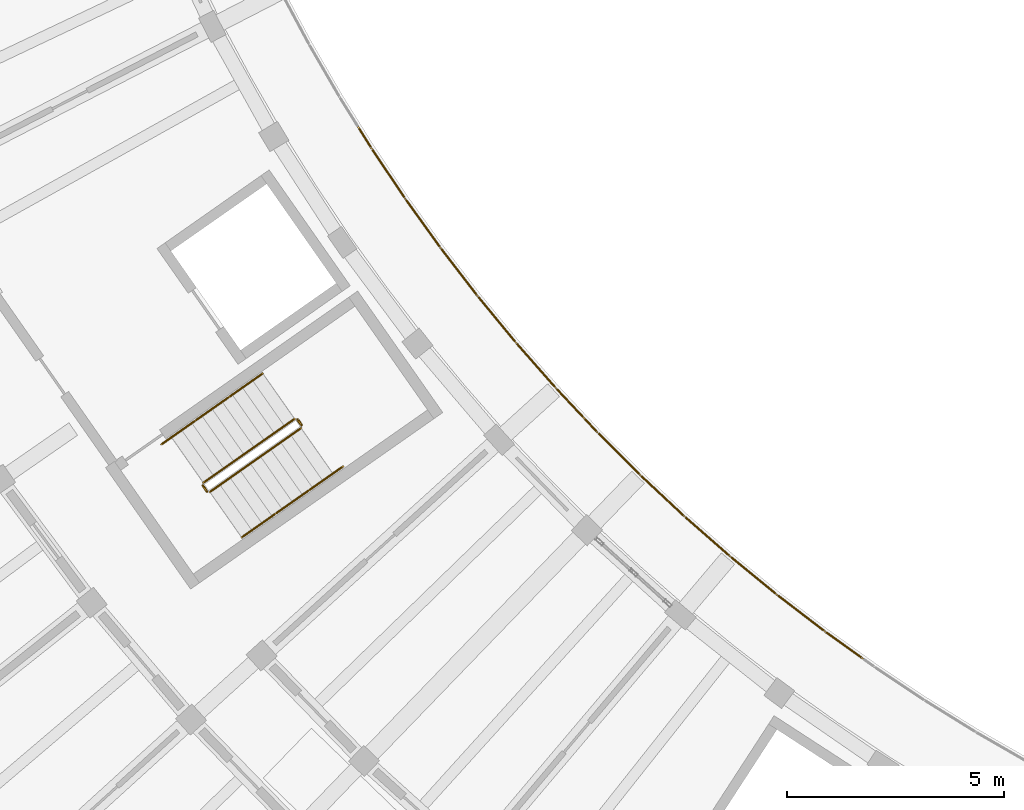
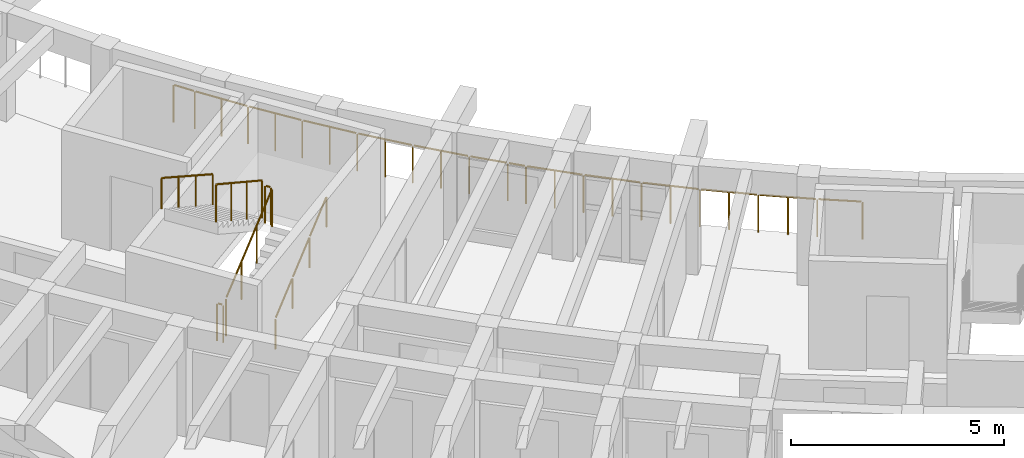
# One storey, part 50 of 62: 12 railings.
"""IFC4 building model written with IfcOpenShell, lengths in metres."""

from ifc_helpers import new_model, si_unit, direction, frame, origin, origin_2d, place, context, subcontext, project, spatial, circle, extrude, material, type_object, element, save


model = new_model("IFC4")

# Units and contexts
model_context = context("Model", 3, precision=1e-05, world=origin(), true_north=direction((0.0, 1.0)))
body_context = subcontext(model_context, "Body", "Model", "MODEL_VIEW")
ifc_project = project(units=[si_unit("LENGTHUNIT", "METRE"), si_unit("AREAUNIT", "SQUARE_METRE"), si_unit("VOLUMEUNIT", "CUBIC_METRE"), si_unit("PLANEANGLEUNIT", "RADIAN"), si_unit("MASSUNIT", "GRAM", prefix="KILO")], contexts=[model_context])

# Site, building, storey
site_placement = place(None, origin())
site = spatial("IfcSite", under=ifc_project, at=site_placement, CompositionType="ELEMENT")
building_placement = place(site_placement, origin())
building = spatial("IfcBuilding", under=site, at=building_placement, Name="Tanwirah Colonnade Gardens", CompositionType="ELEMENT")
storey_placement = place(building_placement, frame((0.0, 0.0, 32.360107421875)))
storey = spatial("IfcBuildingStorey", under=building, at=storey_placement, Name="L09", CompositionType="ELEMENT", Elevation=32.360107421875)

# Railings
ifc_material_1 = material(Name="Precast concrete C40/50", Category="concrete")
railing_type_1 = type_object("IfcRailingType", Name="BAL-EXT110", PredefinedType="BALUSTRADE", material=ifc_material_1)
railing_1_placement = place(storey_placement, frame((28.853271484375, 41.816650390625, 0.0)))
element("IfcRailing", 1, at=railing_1_placement, inside=storey, type_object=railing_type_1, Name="Block C L09 Balcony Ribbon Balustrade 2", PredefinedType="BALUSTRADE", context=body_context, shape_type="SweptSolid", body=[
    extrude(circle(Radius=0.02392578125, at=origin_2d()), frame((0.0166015625, -0.026611328125, 1.076171875), z_axis=(0.529188545896, -0.848504262154, 0.0), x_axis=(0.848504262154, 0.529188545896, 0.0)), (0.0, 0.0, 1.0), 0.50634765625),
    extrude(circle(Radius=0.02392578125, at=origin_2d()), frame((0.319580078125, -0.5107421875, 1.076171875), z_axis=(0.55655786635, -0.830808847692, 0.0), x_axis=(0.830808847692, 0.55655786635, 0.0)), (0.0, 0.0, 1.0), 1.33154296875),
    extrude(circle(Radius=0.02392578125, at=origin_2d()), frame((1.097900390625, -1.670654296875, 1.076171875), z_axis=(0.58342309678, -0.812168387802, 0.0), x_axis=(0.812168387802, 0.58342309678, 0.0)), (0.0, 0.0, 1.0), 1.331298828125),
    extrude(circle(Radius=0.02392578125, at=origin_2d()), frame((1.913330078125, -2.804443359375, 1.076171875), z_axis=(0.609651512095, -0.792669561546, 0.0), x_axis=(0.792669561546, 0.609651512095, 0.0)), (0.0, 0.0, 1.0), 1.33154296875),
    extrude(circle(Radius=0.02392578125, at=origin_2d()), frame((2.765625, -3.91064453125, 1.076171875), z_axis=(0.635209885743, -0.77233956331, 0.0), x_axis=(0.77233956331, 0.635209885743, 0.0)), (0.0, 0.0, 1.0), 1.33154296875),
    extrude(circle(Radius=0.02392578125, at=origin_2d()), frame((3.65380859375, -4.98876953125, 1.076171875), z_axis=(0.660288280901, -0.751012240982, 0.0), x_axis=(0.751012240982, 0.660288280901, 0.0)), (0.0, 0.0, 1.0), 1.33154296875),
    extrude(circle(Radius=0.02392578125, at=origin_2d()), frame((4.57666015625, -6.036865234375, 1.076171875), z_axis=(0.684284631399, -0.729215018517, 0.0), x_axis=(0.729215018517, 0.684284631399, 0.0)), (0.0, 0.0, 1.0), 0.883056640625),
    extrude(circle(Radius=0.02099609375, at=origin_2d()), origin(), (0.0, 0.0, 1.0), 1.049072265625),
    extrude(circle(Radius=0.02099609375, at=origin_2d()), frame((0.301025390625, -0.482666015625, 0.0)), (0.0, 0.0, 1.0), 1.049072265625),
    extrude(circle(Radius=0.02099609375, at=origin_2d()), frame((0.690185546875, -1.06396484375, 0.0)), (0.0, 0.0, 1.0), 1.049072265625),
    extrude(circle(Radius=0.02099609375, at=origin_2d()), frame((1.078125, -1.64306640625, 0.0)), (0.0, 0.0, 1.0), 1.049072265625),
    extrude(circle(Radius=0.02099609375, at=origin_2d()), frame((1.486328125, -2.21142578125, 0.0)), (0.0, 0.0, 1.0), 1.049072265625),
    extrude(circle(Radius=0.02099609375, at=origin_2d()), frame((1.892822265625, -2.77734375, 0.0)), (0.0, 0.0, 1.0), 1.049072265625),
    extrude(circle(Radius=0.02099609375, at=origin_2d()), frame((2.3193359375, -3.33203125, 0.0)), (0.0, 0.0, 1.0), 1.049072265625),
    extrude(circle(Radius=0.02099609375, at=origin_2d()), frame((2.744140625, -3.884521484375, 0.0)), (0.0, 0.0, 1.0), 1.049072265625),
    extrude(circle(Radius=0.02099609375, at=origin_2d()), frame((3.1884765625, -4.4248046875, 0.0)), (0.0, 0.0, 1.0), 1.049072265625),
    extrude(circle(Radius=0.02099609375, at=origin_2d()), frame((3.63134765625, -4.963134765625, 0.0)), (0.0, 0.0, 1.0), 1.049072265625),
    extrude(circle(Radius=0.02099609375, at=origin_2d()), frame((4.09326171875, -5.48876953125, 0.0)), (0.0, 0.0, 1.0), 1.049072265625),
    extrude(circle(Radius=0.02099609375, at=origin_2d()), frame((4.553466796875, -6.01220703125, 0.0)), (0.0, 0.0, 1.0), 1.049072265625),
    extrude(circle(Radius=0.02099609375, at=origin_2d()), frame((5.2021484375, -6.70361328125, 0.0)), (0.0, 0.0, 1.0), 1.049072265625),
])
railing_2_placement = place(storey_placement, frame((34.055419921875, 35.113037109375, 0.0)))
element("IfcRailing", 2, at=railing_2_placement, inside=storey, type_object=railing_type_1, Name="Block C L09 Balcony Ribbon Balustrade 3", PredefinedType="BALUSTRADE", context=body_context, shape_type="SweptSolid", body=[
    extrude(circle(Radius=0.02392578125, at=origin_2d()), frame((0.021484375, -0.022705078125, 1.076171875), z_axis=(0.684719269291, -0.728806916996, 0.0), x_axis=(0.728806916996, 0.684719269291, 0.0)), (0.0, 0.0, 1.0), 0.385986328125),
    extrude(circle(Radius=0.02392578125, at=origin_2d()), frame((0.3310546875, -0.350830078125, 1.076171875), z_axis=(0.707894448134, -0.706318235855, 0.0), x_axis=(0.706318235855, 0.707894448134, 0.0)), (0.0, 0.0, 1.0), 1.33154296875),
    extrude(circle(Radius=0.02392578125, at=origin_2d()), frame((1.320556640625, -1.336669921875, 1.076171875), z_axis=(0.730612417562, -0.682792424756, 0.0), x_axis=(0.682792424756, 0.730612417562, 0.0)), (0.0, 0.0, 1.0), 1.331298828125),
    extrude(circle(Radius=0.02392578125, at=origin_2d()), frame((2.34130859375, -2.28955078125, 1.076171875), z_axis=(0.752565845379, -0.658517006894, 0.0), x_axis=(0.658517006894, 0.752565845379, 0.0)), (0.0, 0.0, 1.0), 1.33154296875),
    extrude(circle(Radius=0.02392578125, at=origin_2d()), frame((3.39306640625, -3.20849609375, 1.076171875), z_axis=(0.773762182392, -0.633476191424, 0.0), x_axis=(0.633476191424, 0.773762182392, 0.0)), (0.0, 0.0, 1.0), 1.33154296875),
    extrude(circle(Radius=0.02392578125, at=origin_2d()), frame((4.474609375, -4.092529296875, 1.076171875), z_axis=(0.793969886309, -0.607957087001, 0.0), x_axis=(0.607957087001, 0.793969886309, 0.0)), (0.0, 0.0, 1.0), 1.331298828125),
    extrude(circle(Radius=0.02392578125, at=origin_2d()), frame((5.583984375, -4.9404296875, 1.076171875), z_axis=(0.813377253106, -0.581736576235, 0.0), x_axis=(0.581736576235, 0.813377253106, 0.0)), (0.0, 0.0, 1.0), 1.0029296875),
    extrude(circle(Radius=0.02099609375, at=origin_2d()), origin(), (0.0, 0.0, 1.0), 1.049072265625),
    extrude(circle(Radius=0.02099609375, at=origin_2d()), frame((0.30712890625, -0.326904296875, 0.0)), (0.0, 0.0, 1.0), 1.049072265625),
    extrude(circle(Radius=0.02099609375, at=origin_2d()), frame((0.80224609375, -0.8212890625, 0.0)), (0.0, 0.0, 1.0), 1.049072265625),
    extrude(circle(Radius=0.02099609375, at=origin_2d()), frame((1.295654296875, -1.3134765625, 0.0)), (0.0, 0.0, 1.0), 1.049072265625),
    extrude(circle(Radius=0.02099609375, at=origin_2d()), frame((1.806640625, -1.791259765625, 0.0)), (0.0, 0.0, 1.0), 1.049072265625),
    extrude(circle(Radius=0.02099609375, at=origin_2d()), frame((2.31591796875, -2.26708984375, 0.0)), (0.0, 0.0, 1.0), 1.049072265625),
    extrude(circle(Radius=0.02099609375, at=origin_2d()), frame((2.84228515625, -2.72802734375, 0.0)), (0.0, 0.0, 1.0), 1.049072265625),
    extrude(circle(Radius=0.02099609375, at=origin_2d()), frame((3.366943359375, -3.18701171875, 0.0)), (0.0, 0.0, 1.0), 1.049072265625),
    extrude(circle(Radius=0.02099609375, at=origin_2d()), frame((3.908203125, -3.63037109375, 0.0)), (0.0, 0.0, 1.0), 1.049072265625),
    extrude(circle(Radius=0.02099609375, at=origin_2d()), frame((4.447509765625, -4.07177734375, 0.0)), (0.0, 0.0, 1.0), 1.049072265625),
    extrude(circle(Radius=0.02099609375, at=origin_2d()), frame((5.0029296875, -4.4970703125, 0.0)), (0.0, 0.0, 1.0), 1.049072265625),
    extrude(circle(Radius=0.02099609375, at=origin_2d()), frame((5.556396484375, -4.9208984375, 0.0)), (0.0, 0.0, 1.0), 1.049072265625),
    extrude(circle(Radius=0.02099609375, at=origin_2d()), frame((6.42529296875, -5.542236328125, 0.0)), (0.0, 0.0, 1.0), 1.049072265625),
])
ifc_material_2 = material(Name="Powder-coated galvanized steel", Category="steel")
railing_type_2 = type_object("IfcRailingType", Name="GRD-ST110", PredefinedType="GUARDRAIL", material=ifc_material_2)
railing_3_placement = place(storey_placement, frame((25.426513671875, 33.40869140625, 0.16796875)))
element("IfcRailing", 3, at=railing_3_placement, inside=storey, type_object=railing_type_2, Name="L09 ST-C1 stair guard 1", PredefinedType="GUARDRAIL", context=body_context, shape_type="SweptSolid", body=[
    extrude(circle(Radius=0.02392578125, at=origin_2d()), frame((0.02197265625, 0.015380859375, 1.092041015625), z_axis=(0.705672637115, 0.494118441931, 0.507812066193), x_axis=(-0.573577325805, 0.819151421486, 0.0)), (0.0, 0.0, 1.0), 2.914794921875),
    extrude(circle(Radius=0.02099609375, at=origin_2d()), origin(), (0.0, 0.0, 1.0), 1.049072265625),
    extrude(circle(Radius=0.02099609375, at=origin_2d()), frame((0.700439453125, 0.490478515625, 0.50390625)), (0.0, 0.0, 1.0), 1.049072265625),
    extrude(circle(Radius=0.02099609375, at=origin_2d()), frame((1.400634765625, 0.980712890625, 1.008056640625)), (0.0, 0.0, 1.0), 1.049072265625),
    extrude(circle(Radius=0.02099609375, at=origin_2d()), frame((2.10107421875, 1.47119140625, 1.511962890625)), (0.0, 0.0, 1.0), 1.049072265625),
])
railing_4_placement = place(storey_placement, frame((27.539794921875, 34.94970703125, 1.679931640625)))
element("IfcRailing", 4, at=railing_4_placement, inside=storey, type_object=railing_type_2, Name="L09 ST-C1 stair guard 2", PredefinedType="GUARDRAIL", context=body_context, shape_type="SweptSolid", body=[
    extrude(circle(Radius=0.02392578125, at=origin_2d()), frame((-0.01806640625, 0.025634765625, 1.076171875), z_axis=(-0.57428210862, 0.81865747399, 0.0), x_axis=(-0.81865747399, -0.57428210862, 0.0)), (0.0, 0.0, 1.0), 0.097412109375),
    extrude(circle(Radius=0.02099609375, at=origin_2d()), origin(), (0.0, 0.0, 1.0), 1.049072265625),
    extrude(circle(Radius=0.02099609375, at=origin_2d()), frame((-0.091796875, 0.130859375, 0.0)), (0.0, 0.0, 1.0), 1.049072265625),
])
railing_5_placement = place(storey_placement, frame((27.37841796875, 35.093017578125, 1.847900390625)))
element("IfcRailing", 5, at=railing_5_placement, inside=storey, type_object=railing_type_2, Name="L09 ST-C1 stair guard 3", PredefinedType="GUARDRAIL", context=body_context, shape_type="SweptSolid", body=[
    extrude(circle(Radius=0.02392578125, at=origin_2d()), frame((-0.02197265625, -0.015380859375, 1.092041015625), z_axis=(-0.705672637115, -0.494118441931, 0.507812066193), x_axis=(0.573577325805, -0.819151421486, 0.0)), (0.0, 0.0, 1.0), 2.914794921875),
    extrude(circle(Radius=0.02099609375, at=origin_2d()), origin(), (0.0, 0.0, 1.0), 1.049072265625),
    extrude(circle(Radius=0.02099609375, at=origin_2d()), frame((-0.700439453125, -0.490478515625, 0.50390625)), (0.0, 0.0, 1.0), 1.049072265625),
    extrude(circle(Radius=0.02099609375, at=origin_2d()), frame((-1.400634765625, -0.980712890625, 1.008056640625)), (0.0, 0.0, 1.0), 1.049072265625),
    extrude(circle(Radius=0.02099609375, at=origin_2d()), frame((-2.10107421875, -1.47119140625, 1.511962890625)), (0.0, 0.0, 1.0), 1.049072265625),
])
railing_6_placement = place(storey_placement, frame((25.356689453125, 33.4208984375, 0.0)))
element("IfcRailing", 6, at=railing_6_placement, inside=storey, type_object=railing_type_2, Name="L09 ST-C1 stair guard 4", PredefinedType="GUARDRAIL", context=body_context, shape_type="SweptSolid", body=[
    extrude(circle(Radius=0.02392578125, at=origin_2d()), frame((-0.017822265625, 0.025634765625, 1.076171875), z_axis=(-0.57356471828, 0.819160249246, 0.0), x_axis=(-0.819160249246, -0.57356471828, 0.0)), (0.0, 0.0, 1.0), 0.097412109375),
    extrude(circle(Radius=0.02099609375, at=origin_2d()), origin(), (0.0, 0.0, 1.0), 1.049072265625),
    extrude(circle(Radius=0.02099609375, at=origin_2d()), frame((-0.091796875, 0.131103515625, 0.0)), (0.0, 0.0, 1.0), 1.049072265625),
])
ifc_material_3 = material(Name="Brushed bronze stainless steel", Category="steel")
railing_type_3 = type_object("IfcRailingType", Name="HR-ST090", PredefinedType="HANDRAIL", material=ifc_material_3)
railing_7_placement = place(storey_placement, frame((26.16064453125, 32.360107421875, 0.16796875)))
element("IfcRailing", 7, at=railing_7_placement, inside=storey, type_object=railing_type_3, Name="L09 ST-C1 stair handrail 1", PredefinedType="HANDRAIL", context=body_context, shape_type="SweptSolid", body=[
    extrude(circle(Radius=0.02392578125, at=origin_2d()), frame((0.02197265625, 0.015380859375, 0.891845703125), z_axis=(0.703686044561, 0.492823109966, 0.511811814023), x_axis=(-0.57365206981, 0.819099079967, 0.0)), (0.0, 0.0, 1.0), 1.043212890625),
    extrude(circle(Radius=0.02099609375, at=origin_2d()), origin(), (0.0, 0.0, 1.0), 0.848876953125),
    extrude(circle(Radius=0.02099609375, at=origin_2d()), frame((0.778076171875, 0.544921875, 0.56591796875)), (0.0, 0.0, 1.0), 0.848876953125),
])
railing_8_placement = place(storey_placement, frame((26.938720703125, 32.905029296875, 0.73388671875)))
element("IfcRailing", 8, at=railing_8_placement, inside=storey, type_object=railing_type_3, Name="L09 ST-C1 stair handrail 2", PredefinedType="HANDRAIL", context=body_context, shape_type="SweptSolid", body=[
    extrude(circle(Radius=0.02392578125, at=origin_2d()), frame((0.02197265625, 0.015380859375, 0.891845703125), z_axis=(0.703797483594, 0.492746544348, 0.511732298297), x_axis=(-0.573531324472, 0.819183630115, 0.0)), (0.0, 0.0, 1.0), 1.04345703125),
    extrude(circle(Radius=0.02099609375, at=origin_2d()), origin(), (0.0, 0.0, 1.0), 0.848876953125),
    extrude(circle(Radius=0.02099609375, at=origin_2d()), frame((0.7783203125, 0.544921875, 0.56591796875)), (0.0, 0.0, 1.0), 0.848876953125),
])
railing_9_placement = place(storey_placement, frame((27.717041015625, 33.449951171875, 1.2998046875)))
element("IfcRailing", 9, at=railing_9_placement, inside=storey, type_object=railing_type_3, Name="L09 ST-C1 stair handrail 3", PredefinedType="HANDRAIL", context=body_context, shape_type="SweptSolid", body=[
    extrude(circle(Radius=0.02392578125, at=origin_2d()), frame((0.02197265625, 0.015380859375, 0.891845703125), z_axis=(0.703606519106, 0.492767414699, 0.511974746723), x_axis=(-0.57365206981, 0.819099079967, 0.0)), (0.0, 0.0, 1.0), 1.043212890625),
    extrude(circle(Radius=0.02099609375, at=origin_2d()), origin(), (0.0, 0.0, 1.0), 0.848876953125),
    extrude(circle(Radius=0.02099609375, at=origin_2d()), frame((0.778076171875, 0.544921875, 0.566162109375)), (0.0, 0.0, 1.0), 0.848876953125),
])
railing_10_placement = place(storey_placement, frame((26.644287109375, 36.141357421875, 1.847900390625)))
element("IfcRailing", 10, at=railing_10_placement, inside=storey, type_object=railing_type_3, Name="L09 ST-C1 stair handrail 4", PredefinedType="HANDRAIL", context=body_context, shape_type="SweptSolid", body=[
    extrude(circle(Radius=0.02392578125, at=origin_2d()), frame((-0.02197265625, -0.015380859375, 0.891845703125), z_axis=(-0.703797483594, -0.492746544348, 0.511732298297), x_axis=(0.573531324472, -0.819183630115, 0.0)), (0.0, 0.0, 1.0), 1.04345703125),
    extrude(circle(Radius=0.02099609375, at=origin_2d()), origin(), (0.0, 0.0, 1.0), 0.848876953125),
    extrude(circle(Radius=0.02099609375, at=origin_2d()), frame((-0.7783203125, -0.544921875, 0.56591796875)), (0.0, 0.0, 1.0), 0.848876953125),
])
railing_11_placement = place(storey_placement, frame((25.865966796875, 35.596435546875, 2.413818359375)))
element("IfcRailing", 11, at=railing_11_placement, inside=storey, type_object=railing_type_3, Name="L09 ST-C1 stair handrail 5", PredefinedType="HANDRAIL", context=body_context, shape_type="SweptSolid", body=[
    extrude(circle(Radius=0.02392578125, at=origin_2d()), frame((-0.02197265625, -0.015380859375, 0.891845703125), z_axis=(-0.70368305994, -0.492600221753, 0.512030441168), x_axis=(0.573479595945, -0.819219844141, 0.0)), (0.0, 0.0, 1.0), 1.043212890625),
    extrude(circle(Radius=0.02099609375, at=origin_2d()), origin(), (0.0, 0.0, 1.0), 0.848876953125),
    extrude(circle(Radius=0.02099609375, at=origin_2d()), frame((-0.778076171875, -0.544677734375, 0.566162109375)), (0.0, 0.0, 1.0), 0.848876953125),
])
railing_12_placement = place(storey_placement, frame((25.087890625, 35.0517578125, 2.97998046875)))
element("IfcRailing", 12, at=railing_12_placement, inside=storey, type_object=railing_type_3, Name="L09 ST-C1 stair handrail 6", PredefinedType="HANDRAIL", context=body_context, shape_type="SweptSolid", body=[
    extrude(circle(Radius=0.02392578125, at=origin_2d()), frame((-0.02197265625, -0.015380859375, 0.891845703125), z_axis=(-0.703797483594, -0.492746544348, 0.511732298297), x_axis=(0.573531324472, -0.819183630115, 0.0)), (0.0, 0.0, 1.0), 1.04345703125),
    extrude(circle(Radius=0.02099609375, at=origin_2d()), origin(), (0.0, 0.0, 1.0), 0.848876953125),
    extrude(circle(Radius=0.02099609375, at=origin_2d()), frame((-0.7783203125, -0.544921875, 0.56591796875)), (0.0, 0.0, 1.0), 0.848876953125),
])

save(model, "model.ifc")
